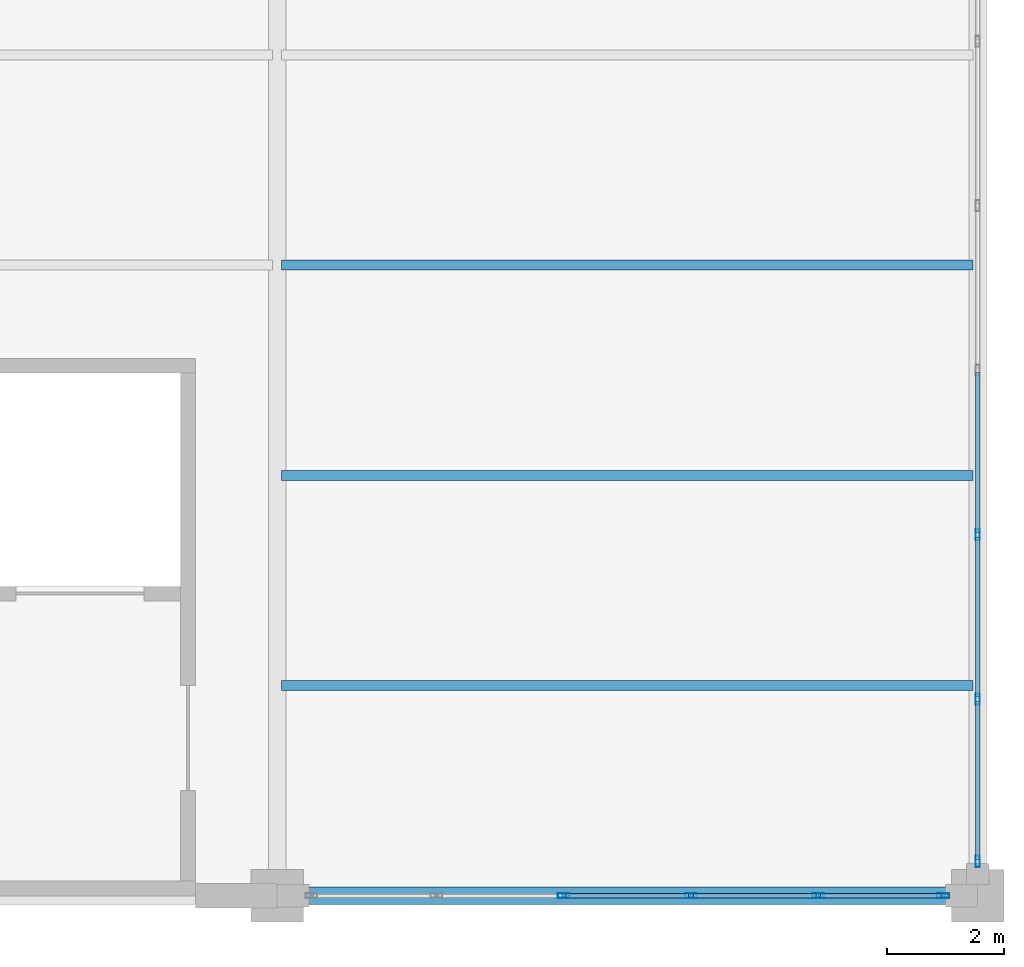
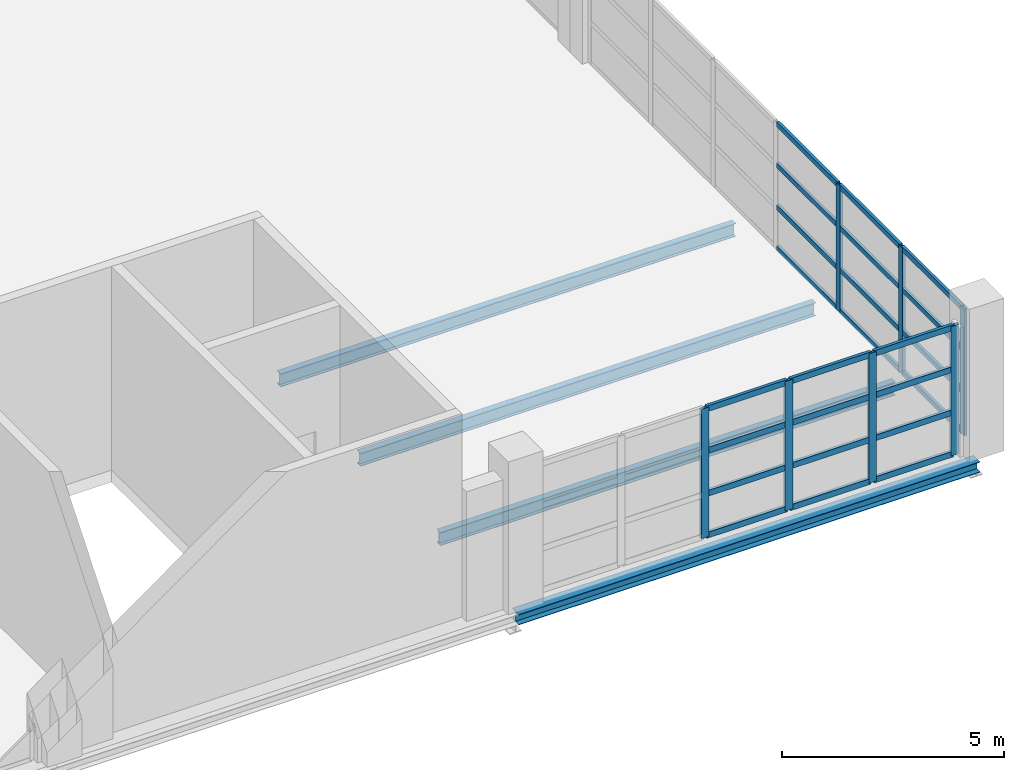
# One storey, part 81 of 158: 31 members, 4 beams, 2 elements without a shape of their own.
"""IFC4 building model written with IfcOpenShell, lengths in metres."""

from ifc_helpers import new_model, si_unit, direction, frame, origin, origin_2d, place, context, subcontext, project, spatial, hollow_rectangle, i_section, extrude, material, layer, layer_set, material_profile, profile_set, type_object, element, aggregate, save


model = new_model("IFC4")

# Units and contexts
model_context = context("Model", 3, precision=1e-05, world=origin(), true_north=direction((0.0, 1.0)))
body_context = subcontext(model_context, "Body", "Model", "MODEL_VIEW")
ifc_project = project(units=[si_unit("LENGTHUNIT", "METRE"), si_unit("AREAUNIT", "SQUARE_METRE"), si_unit("VOLUMEUNIT", "CUBIC_METRE"), si_unit("PLANEANGLEUNIT", "RADIAN"), si_unit("MASSUNIT", "GRAM", prefix="KILO")], contexts=[model_context])

# Site, building, storey
site_placement = place(None, origin())
site = spatial("IfcSite", under=ifc_project, at=site_placement, CompositionType="ELEMENT")
building_placement = place(site_placement, origin())
building = spatial("IfcBuilding", under=site, at=building_placement, Name="Zilviju Railside Exhibition Hall", CompositionType="ELEMENT")
storey_placement = place(building_placement, frame((0.0, 0.0, 4.199951171875)))
storey = spatial("IfcBuildingStorey", under=building, at=storey_placement, Name="L02", CompositionType="ELEMENT", Elevation=4.199951171875)

# Beams
ifc_material_1 = material(Name="Steel S355J2", Category="steel")
ifc_material_profile_1 = material_profile(ifc_material_1, i_section(OverallWidth=0.300048828125, OverallDepth=0.2900390625, WebThickness=0.008544921875, FlangeThickness=0.013916015625, at=origin_2d()), Name="HEA 300")
ifc_profile_set_1 = profile_set([ifc_material_profile_1], Name="Steel S355J2")
beam_type_1 = type_object("IfcBeamType", Name="BM-HEA300", PredefinedType="SPANDREL", material=ifc_profile_set_1)
beam_placement = place(storey_placement, frame((204.0, 0.0, -0.474853515625), z_axis=(1.0, 0.0, 0.0), x_axis=(0.0, 1.0, 0.0)))
element("IfcBeam", 1, at=beam_placement, inside=storey, type_object=beam_type_1, Name="Primary Girder L02 Y=0.0 (204.0..216.0)", PredefinedType="SPANDREL", context=body_context, shape_type="SweptSolid", body=[
    extrude(i_section(OverallWidth=0.300048828125, OverallDepth=0.2900390625, WebThickness=0.008544921875, FlangeThickness=0.013916015625, at=origin_2d()), origin(), (0.0, 0.0, 1.0), 12.0),
])
ifc_material_profile_2 = material_profile(ifc_material_1, i_section(OverallWidth=0.169921875, OverallDepth=0.360107421875, WebThickness=0.008056640625, FlangeThickness=0.0126953125, at=origin_2d()), Name="IPE 360")
ifc_profile_set_2 = profile_set([ifc_material_profile_2], Name="Steel S355J2")
beam_type_2 = type_object("IfcBeamType", Name="BM-IPE360", PredefinedType="JOIST", material=ifc_profile_set_2)
for number, where, z_axis, x_axis, name in (
    (2, (204.080078125, 3.60009765625, -0.510009765625), (1.0, 0.0, 0.0), (0.0, 1.0, 0.0), "Composite Floor Joist L02 Y=3.60 (204.0..216.0)"),
    (3, (204.080078125, 7.199951171875, -0.510009765625), (1.0, 0.0, 0.0), (0.0, 1.0, 0.0), "Composite Floor Joist L02 Y=7.20 (204.0..216.0)"),
    (4, (204.080078125, 10.800048828125, -0.510009765625), (1.0, 0.0, 0.0), (0.0, 1.0, 0.0), "Composite Floor Joist L02 Y=10.80 (204.0..216.0)"),
):
    element("IfcBeam", number, at=place(storey_placement, frame(where, z_axis=z_axis, x_axis=x_axis)), inside=storey, type_object=beam_type_2, Name=name, PredefinedType="JOIST", context=body_context, shape_type="SweptSolid", body=[
        extrude(i_section(OverallWidth=0.169921875, OverallDepth=0.360107421875, WebThickness=0.008056640625, FlangeThickness=0.0126953125, at=origin_2d()), origin(), (0.0, 0.0, 1.0), 11.83984375),
    ])

# Curtain wall, members
ifc_material_2 = material(Name="Thermally broken aluminium-steel triple-glazed curtain wall", Category="steel")
ifc_layer_1 = layer(ifc_material_2, 0.179931640625)
ifc_layer_set_1 = layer_set([ifc_layer_1], Name="Thermally broken aluminium-steel triple-glazed curtain wall")
curtain_wall_type_1 = type_object("IfcCurtainWallType", Name="CW-BAY-09", PredefinedType="USERDEFINED", material=ifc_layer_set_1)
curtain_wall_1_placement = place(storey_placement, origin())
curtain_wall_1 = element("IfcCurtainWall", 5, at=curtain_wall_1_placement, inside=storey, type_object=curtain_wall_type_1, Name="South Hall East Glazed Gable L02 (0..18)", ObjectType="GLAZED CURTAIN WALL", PredefinedType="USERDEFINED")
ifc_material_3 = material(Name="Thermally broken anodized aluminium mullion", Category="aluminium")
ifc_material_profile_3 = material_profile(ifc_material_3, hollow_rectangle(XDim=0.074951171875, YDim=0.18994140625, WallThickness=0.0048828125, at=origin_2d()), Name="MULLION 190x75x5")
ifc_profile_set_3 = profile_set([ifc_material_profile_3], Name="Thermally broken anodized aluminium mullion")
member_type_1 = type_object("IfcMemberType", Name="CWM-75x190", PredefinedType="MULLION", material=ifc_profile_set_3)
member_1_placement = place(storey_placement, frame((216.0, 6.183349609375, 0.0), z_axis=(0.0, 0.0, 1.0), x_axis=(1.0, 0.0, 0.0)))
member_1 = element("IfcMember", 6, at=member_1_placement, type_object=member_type_1, Name="CW-09 mullion 5", PredefinedType="MULLION", context=body_context, shape_type="SweptSolid", body=[
    extrude(hollow_rectangle(XDim=0.074951171875, YDim=0.18994140625, WallThickness=0.0048828125, at=origin_2d()), origin(), (0.0, 0.0, 1.0), 3.47998046875),
])
member_2_placement = place(storey_placement, frame((216.0, 3.36669921875, 0.0), z_axis=(0.0, 0.0, 1.0), x_axis=(1.0, 0.0, 0.0)))
member_2 = element("IfcMember", 7, at=member_2_placement, type_object=member_type_1, Name="CW-09 mullion 6", PredefinedType="MULLION", context=body_context, shape_type="SweptSolid", body=[
    extrude(hollow_rectangle(XDim=0.074951171875, YDim=0.18994140625, WallThickness=0.0048828125, at=origin_2d()), origin(), (0.0, 0.0, 1.0), 3.47998046875),
])
member_3_placement = place(storey_placement, frame((216.0, 0.58740234375, 0.0), z_axis=(0.0, 0.0, 1.0), x_axis=(1.0, 0.0, 0.0)))
member_3 = element("IfcMember", 8, at=member_3_placement, type_object=member_type_1, Name="CW-09 mullion 7", PredefinedType="MULLION", context=body_context, shape_type="SweptSolid", body=[
    extrude(hollow_rectangle(XDim=0.074951171875, YDim=0.18994140625, WallThickness=0.0048828125, at=origin_2d()), origin(), (0.0, 0.0, 1.0), 3.47998046875),
])

ifc_layer_2 = layer(ifc_material_2, 0.179931640625)
ifc_layer_set_2 = layer_set([ifc_layer_2], Name="Thermally broken aluminium-steel triple-glazed curtain wall")
curtain_wall_type_2 = type_object("IfcCurtainWallType", Name="CW-BAY-16", PredefinedType="USERDEFINED", material=ifc_layer_set_2)
curtain_wall_2_placement = place(storey_placement, origin())
curtain_wall_2 = element("IfcCurtainWall", 9, at=curtain_wall_2_placement, inside=storey, type_object=curtain_wall_type_2, Name="South Hall Facade Curtain Wall L02 (204..216)", ObjectType="GLAZED CURTAIN WALL", PredefinedType="USERDEFINED")
ifc_material_profile_4 = material_profile(ifc_material_3, hollow_rectangle(XDim=0.080078125, YDim=0.199951171875, WallThickness=0.0048828125, at=origin_2d()), Name="MULLION 200x80x5")
ifc_profile_set_4 = profile_set([ifc_material_profile_4], Name="Thermally broken anodized aluminium mullion")
member_type_2 = type_object("IfcMemberType", Name="CWM-80x200", PredefinedType="MULLION", material=ifc_profile_set_4)
member_4_placement = place(storey_placement, frame((215.409912109375, 0.0, 0.0), z_axis=(0.0, 0.0, 1.0), x_axis=(0.0, -1.0, 0.0)))
member_4 = element("IfcMember", 10, at=member_4_placement, type_object=member_type_2, Name="CW-16 mullion 1", PredefinedType="MULLION", context=body_context, shape_type="SweptSolid", body=[
    extrude(hollow_rectangle(XDim=0.080078125, YDim=0.199951171875, WallThickness=0.0048828125, at=origin_2d()), origin(), (0.0, 0.0, 1.0), 3.56005859375),
])
member_5_placement = place(storey_placement, frame((213.27001953125, 0.0, 0.0), z_axis=(0.0, 0.0, 1.0), x_axis=(0.0, -1.0, 0.0)))
member_5 = element("IfcMember", 11, at=member_5_placement, type_object=member_type_2, Name="CW-16 mullion 2", PredefinedType="MULLION", context=body_context, shape_type="SweptSolid", body=[
    extrude(hollow_rectangle(XDim=0.080078125, YDim=0.199951171875, WallThickness=0.0048828125, at=origin_2d()), origin(), (0.0, 0.0, 1.0), 3.56005859375),
])
member_6_placement = place(storey_placement, frame((211.090087890625, 0.0, 0.0), z_axis=(0.0, 0.0, 1.0), x_axis=(0.0, -1.0, 0.0)))
member_6 = element("IfcMember", 12, at=member_6_placement, type_object=member_type_2, Name="CW-16 mullion 3", PredefinedType="MULLION", context=body_context, shape_type="SweptSolid", body=[
    extrude(hollow_rectangle(XDim=0.080078125, YDim=0.199951171875, WallThickness=0.0048828125, at=origin_2d()), origin(), (0.0, 0.0, 1.0), 3.56005859375),
])
member_7_placement = place(storey_placement, frame((208.909912109375, 0.0, 0.0), z_axis=(0.0, 0.0, 1.0), x_axis=(0.0, -1.0, 0.0)))
member_7 = element("IfcMember", 13, at=member_7_placement, type_object=member_type_2, Name="CW-16 mullion 4", PredefinedType="MULLION", context=body_context, shape_type="SweptSolid", body=[
    extrude(hollow_rectangle(XDim=0.080078125, YDim=0.199951171875, WallThickness=0.0048828125, at=origin_2d()), origin(), (0.0, 0.0, 1.0), 3.56005859375),
])

# Member
ifc_material_4 = material(Name="Thermally broken anodized aluminium transom", Category="aluminium")
ifc_material_profile_5 = material_profile(ifc_material_4, hollow_rectangle(XDim=0.074951171875, YDim=0.139892578125, WallThickness=0.0048828125, at=origin_2d()), Name="TRANSOM 140x75x5")
ifc_profile_set_5 = profile_set([ifc_material_profile_5], Name="Thermally broken anodized aluminium transom")
member_type_3 = type_object("IfcMemberType", Name="CWT-75x140", PredefinedType="USERDEFINED", material=ifc_profile_set_5)
member_8_placement = place(storey_placement, frame((216.0, 8.96240234375, 0.03759765625), z_axis=(0.0, -1.0, 0.0), x_axis=(1.0, 0.0, 0.0)))
member_8 = element("IfcMember", 14, at=member_8_placement, type_object=member_type_3, Name="CW-09 transom 4.1", ObjectType="TRANSOM", PredefinedType="USERDEFINED", context=body_context, shape_type="SweptSolid", body=[
    extrude(hollow_rectangle(XDim=0.074951171875, YDim=0.139892578125, WallThickness=0.0048828125, at=origin_2d()), origin(), (0.0, 0.0, 1.0), 2.741455078125),
])

member_9_placement = place(storey_placement, frame((216.0, 8.96240234375, 1.16015625), z_axis=(0.0, -1.0, 0.0), x_axis=(1.0, 0.0, 0.0)))
member_9 = element("IfcMember", 15, at=member_9_placement, type_object=member_type_3, Name="CW-09 transom 4.2", ObjectType="TRANSOM", PredefinedType="USERDEFINED", context=body_context, shape_type="SweptSolid", body=[
    extrude(hollow_rectangle(XDim=0.074951171875, YDim=0.139892578125, WallThickness=0.0048828125, at=origin_2d()), origin(), (0.0, 0.0, 1.0), 2.741455078125),
])

member_10_placement = place(storey_placement, frame((216.0, 8.96240234375, 2.320068359375), z_axis=(0.0, -1.0, 0.0), x_axis=(1.0, 0.0, 0.0)))
member_10 = element("IfcMember", 16, at=member_10_placement, type_object=member_type_3, Name="CW-09 transom 4.3", ObjectType="TRANSOM", PredefinedType="USERDEFINED", context=body_context, shape_type="SweptSolid", body=[
    extrude(hollow_rectangle(XDim=0.074951171875, YDim=0.139892578125, WallThickness=0.0048828125, at=origin_2d()), origin(), (0.0, 0.0, 1.0), 2.741455078125),
])

member_11_placement = place(storey_placement, frame((216.0, 8.96240234375, 3.442626953125), z_axis=(0.0, -1.0, 0.0), x_axis=(1.0, 0.0, 0.0)))
member_11 = element("IfcMember", 17, at=member_11_placement, type_object=member_type_3, Name="CW-09 transom 4.4", ObjectType="TRANSOM", PredefinedType="USERDEFINED", context=body_context, shape_type="SweptSolid", body=[
    extrude(hollow_rectangle(XDim=0.074951171875, YDim=0.139892578125, WallThickness=0.0048828125, at=origin_2d()), origin(), (0.0, 0.0, 1.0), 2.741455078125),
])

member_12_placement = place(storey_placement, frame((216.0, 6.145751953125, 0.03759765625), z_axis=(0.0, -1.0, 0.0), x_axis=(1.0, 0.0, 0.0)))
member_12 = element("IfcMember", 18, at=member_12_placement, type_object=member_type_3, Name="CW-09 transom 5.1", ObjectType="TRANSOM", PredefinedType="USERDEFINED", context=body_context, shape_type="SweptSolid", body=[
    extrude(hollow_rectangle(XDim=0.074951171875, YDim=0.139892578125, WallThickness=0.0048828125, at=origin_2d()), origin(), (0.0, 0.0, 1.0), 2.74169921875),
])

member_13_placement = place(storey_placement, frame((216.0, 6.145751953125, 1.16015625), z_axis=(0.0, -1.0, 0.0), x_axis=(1.0, 0.0, 0.0)))
member_13 = element("IfcMember", 19, at=member_13_placement, type_object=member_type_3, Name="CW-09 transom 5.2", ObjectType="TRANSOM", PredefinedType="USERDEFINED", context=body_context, shape_type="SweptSolid", body=[
    extrude(hollow_rectangle(XDim=0.074951171875, YDim=0.139892578125, WallThickness=0.0048828125, at=origin_2d()), origin(), (0.0, 0.0, 1.0), 2.74169921875),
])

member_14_placement = place(storey_placement, frame((216.0, 6.145751953125, 2.320068359375), z_axis=(0.0, -1.0, 0.0), x_axis=(1.0, 0.0, 0.0)))
member_14 = element("IfcMember", 20, at=member_14_placement, type_object=member_type_3, Name="CW-09 transom 5.3", ObjectType="TRANSOM", PredefinedType="USERDEFINED", context=body_context, shape_type="SweptSolid", body=[
    extrude(hollow_rectangle(XDim=0.074951171875, YDim=0.139892578125, WallThickness=0.0048828125, at=origin_2d()), origin(), (0.0, 0.0, 1.0), 2.74169921875),
])

member_15_placement = place(storey_placement, frame((216.0, 6.145751953125, 3.442626953125), z_axis=(0.0, -1.0, 0.0), x_axis=(1.0, 0.0, 0.0)))
member_15 = element("IfcMember", 21, at=member_15_placement, type_object=member_type_3, Name="CW-09 transom 5.4", ObjectType="TRANSOM", PredefinedType="USERDEFINED", context=body_context, shape_type="SweptSolid", body=[
    extrude(hollow_rectangle(XDim=0.074951171875, YDim=0.139892578125, WallThickness=0.0048828125, at=origin_2d()), origin(), (0.0, 0.0, 1.0), 2.74169921875),
])

member_16_placement = place(storey_placement, frame((216.0, 3.3291015625, 0.03759765625), z_axis=(0.0, -1.0, 0.0), x_axis=(1.0, 0.0, 0.0)))
member_16 = element("IfcMember", 22, at=member_16_placement, type_object=member_type_3, Name="CW-09 transom 6.1", ObjectType="TRANSOM", PredefinedType="USERDEFINED", context=body_context, shape_type="SweptSolid", body=[
    extrude(hollow_rectangle(XDim=0.074951171875, YDim=0.139892578125, WallThickness=0.0048828125, at=origin_2d()), origin(), (0.0, 0.0, 1.0), 2.7041015625),
])

member_17_placement = place(storey_placement, frame((216.0, 3.3291015625, 1.16015625), z_axis=(0.0, -1.0, 0.0), x_axis=(1.0, 0.0, 0.0)))
member_17 = element("IfcMember", 23, at=member_17_placement, type_object=member_type_3, Name="CW-09 transom 6.2", ObjectType="TRANSOM", PredefinedType="USERDEFINED", context=body_context, shape_type="SweptSolid", body=[
    extrude(hollow_rectangle(XDim=0.074951171875, YDim=0.139892578125, WallThickness=0.0048828125, at=origin_2d()), origin(), (0.0, 0.0, 1.0), 2.7041015625),
])

member_18_placement = place(storey_placement, frame((216.0, 3.3291015625, 2.320068359375), z_axis=(0.0, -1.0, 0.0), x_axis=(1.0, 0.0, 0.0)))
member_18 = element("IfcMember", 24, at=member_18_placement, type_object=member_type_3, Name="CW-09 transom 6.3", ObjectType="TRANSOM", PredefinedType="USERDEFINED", context=body_context, shape_type="SweptSolid", body=[
    extrude(hollow_rectangle(XDim=0.074951171875, YDim=0.139892578125, WallThickness=0.0048828125, at=origin_2d()), origin(), (0.0, 0.0, 1.0), 2.7041015625),
])

member_19_placement = place(storey_placement, frame((216.0, 3.3291015625, 3.442626953125), z_axis=(0.0, -1.0, 0.0), x_axis=(1.0, 0.0, 0.0)))
member_19 = element("IfcMember", 25, at=member_19_placement, type_object=member_type_3, Name="CW-09 transom 6.4", ObjectType="TRANSOM", PredefinedType="USERDEFINED", context=body_context, shape_type="SweptSolid", body=[
    extrude(hollow_rectangle(XDim=0.074951171875, YDim=0.139892578125, WallThickness=0.0048828125, at=origin_2d()), origin(), (0.0, 0.0, 1.0), 2.7041015625),
])

aggregate(curtain_wall_1, [member_1, member_2, member_3, member_8, member_9, member_10, member_11, member_12, member_13, member_14, member_15, member_16, member_17, member_18, member_19])

ifc_material_profile_6 = material_profile(ifc_material_4, hollow_rectangle(XDim=0.080078125, YDim=0.159912109375, WallThickness=0.0048828125, at=origin_2d()), Name="TRANSOM 160x80x5")
ifc_profile_set_6 = profile_set([ifc_material_profile_6], Name="Thermally broken anodized aluminium transom")
member_type_4 = type_object("IfcMemberType", Name="CWT-80x160", PredefinedType="USERDEFINED", material=ifc_profile_set_6)
member_20_placement = place(storey_placement, frame((215.3701171875, 0.0, 0.0400390625), z_axis=(-1.0, 0.0, 0.0), x_axis=(0.0, -1.0, 0.0)))
member_20 = element("IfcMember", 26, at=member_20_placement, type_object=member_type_4, Name="CW-16 transom 1.1", ObjectType="TRANSOM", PredefinedType="USERDEFINED", context=body_context, shape_type="SweptSolid", body=[
    extrude(hollow_rectangle(XDim=0.080078125, YDim=0.159912109375, WallThickness=0.0048828125, at=origin_2d()), origin(), (0.0, 0.0, 1.0), 2.06005859375),
])

member_21_placement = place(storey_placement, frame((215.3701171875, 0.0, 1.18701171875), z_axis=(-1.0, 0.0, 0.0), x_axis=(0.0, -1.0, 0.0)))
member_21 = element("IfcMember", 27, at=member_21_placement, type_object=member_type_4, Name="CW-16 transom 1.2", ObjectType="TRANSOM", PredefinedType="USERDEFINED", context=body_context, shape_type="SweptSolid", body=[
    extrude(hollow_rectangle(XDim=0.080078125, YDim=0.159912109375, WallThickness=0.0048828125, at=origin_2d()), origin(), (0.0, 0.0, 1.0), 2.06005859375),
])

member_22_placement = place(storey_placement, frame((215.3701171875, 0.0, 2.373046875), z_axis=(-1.0, 0.0, 0.0), x_axis=(0.0, -1.0, 0.0)))
member_22 = element("IfcMember", 28, at=member_22_placement, type_object=member_type_4, Name="CW-16 transom 1.3", ObjectType="TRANSOM", PredefinedType="USERDEFINED", context=body_context, shape_type="SweptSolid", body=[
    extrude(hollow_rectangle(XDim=0.080078125, YDim=0.159912109375, WallThickness=0.0048828125, at=origin_2d()), origin(), (0.0, 0.0, 1.0), 2.06005859375),
])

member_23_placement = place(storey_placement, frame((215.3701171875, 0.0, 3.52001953125), z_axis=(-1.0, 0.0, 0.0), x_axis=(0.0, -1.0, 0.0)))
member_23 = element("IfcMember", 29, at=member_23_placement, type_object=member_type_4, Name="CW-16 transom 1.4", ObjectType="TRANSOM", PredefinedType="USERDEFINED", context=body_context, shape_type="SweptSolid", body=[
    extrude(hollow_rectangle(XDim=0.080078125, YDim=0.159912109375, WallThickness=0.0048828125, at=origin_2d()), origin(), (0.0, 0.0, 1.0), 2.06005859375),
])

member_24_placement = place(storey_placement, frame((213.22998046875, 0.0, 0.0400390625), z_axis=(-1.0, 0.0, 0.0), x_axis=(0.0, -1.0, 0.0)))
member_24 = element("IfcMember", 30, at=member_24_placement, type_object=member_type_4, Name="CW-16 transom 2.1", ObjectType="TRANSOM", PredefinedType="USERDEFINED", context=body_context, shape_type="SweptSolid", body=[
    extrude(hollow_rectangle(XDim=0.080078125, YDim=0.159912109375, WallThickness=0.0048828125, at=origin_2d()), origin(), (0.0, 0.0, 1.0), 2.10009765625),
])

member_25_placement = place(storey_placement, frame((213.22998046875, 0.0, 1.18701171875), z_axis=(-1.0, 0.0, 0.0), x_axis=(0.0, -1.0, 0.0)))
member_25 = element("IfcMember", 31, at=member_25_placement, type_object=member_type_4, Name="CW-16 transom 2.2", ObjectType="TRANSOM", PredefinedType="USERDEFINED", context=body_context, shape_type="SweptSolid", body=[
    extrude(hollow_rectangle(XDim=0.080078125, YDim=0.159912109375, WallThickness=0.0048828125, at=origin_2d()), origin(), (0.0, 0.0, 1.0), 2.10009765625),
])

member_26_placement = place(storey_placement, frame((213.22998046875, 0.0, 2.373046875), z_axis=(-1.0, 0.0, 0.0), x_axis=(0.0, -1.0, 0.0)))
member_26 = element("IfcMember", 32, at=member_26_placement, type_object=member_type_4, Name="CW-16 transom 2.3", ObjectType="TRANSOM", PredefinedType="USERDEFINED", context=body_context, shape_type="SweptSolid", body=[
    extrude(hollow_rectangle(XDim=0.080078125, YDim=0.159912109375, WallThickness=0.0048828125, at=origin_2d()), origin(), (0.0, 0.0, 1.0), 2.10009765625),
])

member_27_placement = place(storey_placement, frame((213.22998046875, 0.0, 3.52001953125), z_axis=(-1.0, 0.0, 0.0), x_axis=(0.0, -1.0, 0.0)))
member_27 = element("IfcMember", 33, at=member_27_placement, type_object=member_type_4, Name="CW-16 transom 2.4", ObjectType="TRANSOM", PredefinedType="USERDEFINED", context=body_context, shape_type="SweptSolid", body=[
    extrude(hollow_rectangle(XDim=0.080078125, YDim=0.159912109375, WallThickness=0.0048828125, at=origin_2d()), origin(), (0.0, 0.0, 1.0), 2.10009765625),
])

member_28_placement = place(storey_placement, frame((211.050048828125, 0.0, 0.0400390625), z_axis=(-1.0, 0.0, 0.0), x_axis=(0.0, -1.0, 0.0)))
member_28 = element("IfcMember", 34, at=member_28_placement, type_object=member_type_4, Name="CW-16 transom 3.1", ObjectType="TRANSOM", PredefinedType="USERDEFINED", context=body_context, shape_type="SweptSolid", body=[
    extrude(hollow_rectangle(XDim=0.080078125, YDim=0.159912109375, WallThickness=0.0048828125, at=origin_2d()), origin(), (0.0, 0.0, 1.0), 2.10009765625),
])

member_29_placement = place(storey_placement, frame((211.050048828125, 0.0, 1.18701171875), z_axis=(-1.0, 0.0, 0.0), x_axis=(0.0, -1.0, 0.0)))
member_29 = element("IfcMember", 35, at=member_29_placement, type_object=member_type_4, Name="CW-16 transom 3.2", ObjectType="TRANSOM", PredefinedType="USERDEFINED", context=body_context, shape_type="SweptSolid", body=[
    extrude(hollow_rectangle(XDim=0.080078125, YDim=0.159912109375, WallThickness=0.0048828125, at=origin_2d()), origin(), (0.0, 0.0, 1.0), 2.10009765625),
])

member_30_placement = place(storey_placement, frame((211.050048828125, 0.0, 2.373046875), z_axis=(-1.0, 0.0, 0.0), x_axis=(0.0, -1.0, 0.0)))
member_30 = element("IfcMember", 36, at=member_30_placement, type_object=member_type_4, Name="CW-16 transom 3.3", ObjectType="TRANSOM", PredefinedType="USERDEFINED", context=body_context, shape_type="SweptSolid", body=[
    extrude(hollow_rectangle(XDim=0.080078125, YDim=0.159912109375, WallThickness=0.0048828125, at=origin_2d()), origin(), (0.0, 0.0, 1.0), 2.10009765625),
])

member_31_placement = place(storey_placement, frame((211.050048828125, 0.0, 3.52001953125), z_axis=(-1.0, 0.0, 0.0), x_axis=(0.0, -1.0, 0.0)))
member_31 = element("IfcMember", 37, at=member_31_placement, type_object=member_type_4, Name="CW-16 transom 3.4", ObjectType="TRANSOM", PredefinedType="USERDEFINED", context=body_context, shape_type="SweptSolid", body=[
    extrude(hollow_rectangle(XDim=0.080078125, YDim=0.159912109375, WallThickness=0.0048828125, at=origin_2d()), origin(), (0.0, 0.0, 1.0), 2.10009765625),
])

aggregate(curtain_wall_2, [member_4, member_5, member_6, member_7, member_20, member_21, member_22, member_23, member_24, member_25, member_26, member_27, member_28, member_29, member_30, member_31])

save(model, "model.ifc")
